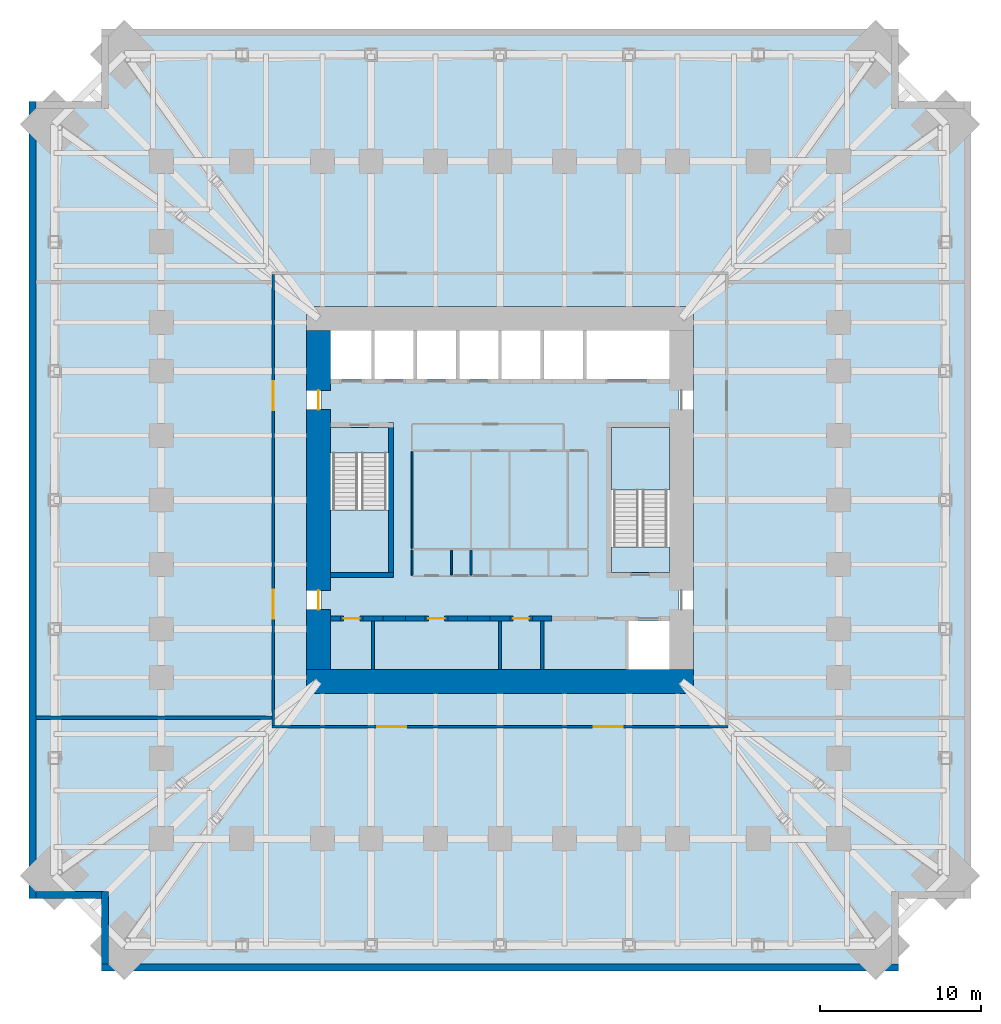
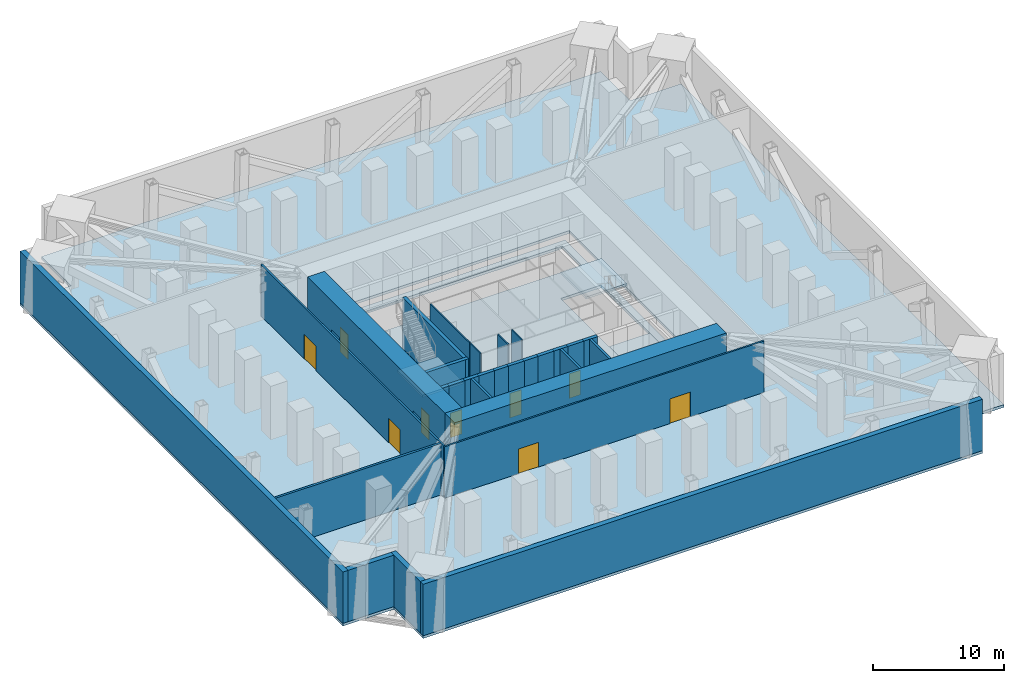
# One storey, part 5 of 9: 29 walls, 9 doors, 6 slabs, 9 openings, 2 elements without a shape of their own.
"""IFC4 building model written with IfcOpenShell, lengths in metres."""

from ifc_helpers import new_model, si_unit, direction, frame, frame_2d, origin, place, context, subcontext, project, spatial, polyline, rectangle, outline, extrude, material, layer, layer_set, type_object, element, fill, aggregate, save


model = new_model("IFC4")

# Units and contexts
model_context = context("Model", 3, precision=1e-05, world=origin(), true_north=direction((0.0, 1.0)))
body_context = subcontext(model_context, "Body", "Model", "MODEL_VIEW")
ifc_project = project(units=[si_unit("LENGTHUNIT", "METRE"), si_unit("AREAUNIT", "SQUARE_METRE"), si_unit("VOLUMEUNIT", "CUBIC_METRE"), si_unit("PLANEANGLEUNIT", "RADIAN"), si_unit("MASSUNIT", "GRAM", prefix="KILO")], contexts=[model_context])

# Site, building, storey
site_placement = place(None, origin())
site = spatial("IfcSite", under=ifc_project, at=site_placement, CompositionType="ELEMENT")
building_placement = place(site_placement, origin())
building = spatial("IfcBuilding", under=site, at=building_placement, Name="Peilmerk Tower", CompositionType="ELEMENT")
storey_placement = place(building_placement, frame((0.0, 0.0, 81.0)))
storey = spatial("IfcBuildingStorey", under=building, at=storey_placement, Name="L15", CompositionType="ELEMENT", Elevation=81.0)

# Slabs
ifc_material_1 = material(Name="Concrete C55/67", Category="concrete")
ifc_layer_1 = layer(ifc_material_1, 0.25)
ifc_layer_set_1 = layer_set([ifc_layer_1], Name="Concrete C55/67")
slab_type_1 = type_object("IfcSlabType", Name="CS250 250 core floor slab", PredefinedType="FLOOR", material=ifc_layer_set_1)
slab_1_placement = place(storey_placement, frame((0.0, 0.0, -0.25)))
element("IfcSlab", 1, at=slab_1_placement, inside=storey, type_object=slab_type_1, Name="Core slab L15", PredefinedType="FLOOR", context=body_context, shape_type="SweptSolid", body=[
    extrude(outline(polyline([(-11.10009765625, 11.10009765625), (-11.10009765625, -11.10009765625), (11.10009765625, -11.10009765625), (11.10009765625, 11.10009765625), (-11.10009765625, 11.10009765625)]), holes=[polyline([(10.5, 7.5), (-10.5, 7.5), (-10.5, 10.5), (10.5, 10.5), (10.5, 7.5)]), polyline([(7.875, -10.5), (7.875, -7.5), (10.5, -7.5), (10.5, -10.5), (7.875, -10.5)]), polyline([(-10.5, 4.5), (-6.89990234375, 4.5), (-6.89990234375, -4.5), (-10.5, -4.5), (-10.5, 4.5)]), polyline([(10.5, 4.5), (10.5, -4.5), (6.89990234375, -4.5), (6.89990234375, 4.5), (10.5, 4.5)])]), origin(), (0.0, 0.0, 1.0), 0.25),
])
ifc_material_2 = material(Name="Concrete C35/45", Category="concrete")
ifc_layer_2 = layer(ifc_material_2, 0.25)
ifc_layer_set_2 = layer_set([ifc_layer_2], Name="Concrete C35/45")
slab_type_2 = type_object("IfcSlabType", Name="FS250 250 composite floor slab", PredefinedType="FLOOR", material=ifc_layer_set_2)
slab_2_placement = place(storey_placement, frame((0.0, 0.0, -0.25)))
element("IfcSlab", 2, at=slab_2_placement, inside=storey, type_object=slab_type_2, Name="Floor slab L15", PredefinedType="FLOOR", context=body_context, shape_type="SweptSolid", body=[
    extrude(outline(polyline([(-24.699951171875, -29.199951171875), (24.699951171875, -29.199951171875), (24.699951171875, -24.699951171875), (29.199951171875, -24.699951171875), (29.199951171875, 24.699951171875), (24.699951171875, 24.699951171875), (24.699951171875, 29.199951171875), (-24.699951171875, 29.199951171875), (-24.699951171875, 24.699951171875), (-29.199951171875, 24.699951171875), (-29.199951171875, -24.699951171875), (-24.699951171875, -24.699951171875), (-24.699951171875, -29.199951171875)]), holes=[polyline([(12.0, 12.0), (12.0, -12.0), (-12.0, -12.0), (-12.0, 12.0), (12.0, 12.0)])]), origin(), (0.0, 0.0, 1.0), 0.25),
])

# Stair, slab
ifc_material_3 = material(Name="Precast concrete C45/55", Category="concrete")
stair_type_1 = type_object("IfcStairType", Name="ST1 28 risers of 178.6", PredefinedType="HALF_TURN_STAIR", material=ifc_material_3)
stair_1_placement = place(storey_placement, origin())
stair_1 = element("IfcStair", 3, at=stair_1_placement, inside=storey, type_object=stair_type_1, Name="Stair 1 L15 to L16", PredefinedType="HALF_TURN_STAIR")
ifc_layer_3 = layer(ifc_material_2, 0.199951171875)
ifc_layer_set_3 = layer_set([ifc_layer_3], Name="Concrete C35/45")
slab_type_3 = type_object("IfcSlabType", Name="SL1 200 concrete stair landing", PredefinedType="LANDING", material=ifc_layer_set_3)
slab_3_placement = place(storey_placement, frame((0.0, 0.0, 2.300048828125)))
slab_3 = element("IfcSlab", 4, at=slab_3_placement, type_object=slab_type_3, Name="ST1 landing 1", PredefinedType="LANDING", context=body_context, shape_type="SweptSolid", body=[
    extrude(outline(polyline([(-10.5, -4.5), (-6.89990234375, -4.5), (-6.89990234375, -0.610107421875), (-10.5, -0.610107421875), (-10.5, -4.5)])), origin(), (0.0, 0.0, 1.0), 0.199951171875),
])

stair_type_2 = type_object("IfcStairType", Name="ST2 28 risers of 178.6", PredefinedType="HALF_TURN_STAIR", material=ifc_material_3)
stair_2_placement = place(storey_placement, origin())
stair_2 = element("IfcStair", 5, at=stair_2_placement, inside=storey, type_object=stair_type_2, Name="Stair 2 L15 to L16", PredefinedType="HALF_TURN_STAIR")
slab_4_placement = place(storey_placement, frame((0.0, 0.0, 2.300048828125)))
slab_4 = element("IfcSlab", 6, at=slab_4_placement, type_object=slab_type_3, Name="ST2 landing 1", PredefinedType="LANDING", context=body_context, shape_type="SweptSolid", body=[
    extrude(outline(polyline([(6.89990234375, 0.610107421875), (10.5, 0.610107421875), (10.5, 4.5), (6.89990234375, 4.5), (6.89990234375, 0.610107421875)])), origin(), (0.0, 0.0, 1.0), 0.199951171875),
])

# Slab
ifc_layer_4 = layer(ifc_material_2, 0.25)
ifc_layer_set_4 = layer_set([ifc_layer_4], Name="Concrete C35/45")
slab_type_4 = type_object("IfcSlabType", Name="SL2 250 concrete floor landing", PredefinedType="LANDING", material=ifc_layer_set_4)
slab_5_placement = place(storey_placement, frame((0.0, 0.0, -0.25)))
slab_5 = element("IfcSlab", 7, at=slab_5_placement, type_object=slab_type_4, Name="ST1 floor landing", PredefinedType="LANDING", context=body_context, shape_type="SweptSolid", body=[
    extrude(outline(polyline([(-10.5, 2.89990234375), (-6.89990234375, 2.89990234375), (-6.89990234375, 4.5), (-10.5, 4.5), (-10.5, 2.89990234375)])), origin(), (0.0, 0.0, 1.0), 0.25),
])

aggregate(stair_1, [slab_3, slab_5])

slab_6_placement = place(storey_placement, frame((0.0, 0.0, -0.25)))
slab_6 = element("IfcSlab", 8, at=slab_6_placement, type_object=slab_type_4, Name="ST2 floor landing", PredefinedType="LANDING", context=body_context, shape_type="SweptSolid", body=[
    extrude(outline(polyline([(6.89990234375, -4.5), (10.5, -4.5), (10.5, -2.89990234375), (6.89990234375, -2.89990234375), (6.89990234375, -4.5)])), origin(), (0.0, 0.0, 1.0), 0.25),
])

aggregate(stair_2, [slab_4, slab_6])

# Walls
ifc_material_4 = material(Name="Precast concrete C45/55, board-marked finish", Category="concrete")
ifc_layer_5 = layer(ifc_material_4, 0.449951171875)
ifc_layer_set_5 = layer_set([ifc_layer_5], Name="Precast concrete C45/55, board-marked finish")
wall_type_1 = type_object("IfcWallType", Name="EW1 450 precast concrete facade wall, board-marked", PredefinedType="SOLIDWALL", material=ifc_layer_set_5)
for number, where, z_axis, x_axis, name in (
    (9, (-24.699951171875, -28.97509765625, 0.0), (0.0, 0.0, 1.0), (1.0, 0.0, 0.0), "Facade wall S L15"),
    (10, (-28.97509765625, 24.699951171875, 0.0), (0.0, 0.0, 1.0), (0.0, -1.0, 0.0), "Facade wall W L15"),
):
    element("IfcWall", number, at=place(storey_placement, frame(where, z_axis=z_axis, x_axis=x_axis)), inside=storey, type_object=wall_type_1, Name=name, PredefinedType="SOLIDWALL", context=body_context, shape_type="SweptSolid", body=[
        extrude(rectangle(XDim=49.39990234375, YDim=0.449951171875, at=frame_2d((24.699951171875, 0.0))), origin(), (0.0, 0.0, 1.0), 4.800048828125),
    ])
wall_1_placement = place(storey_placement, frame((-24.47509765625, -24.25, 0.0), z_axis=(0.0, 0.0, 1.0), x_axis=(0.0, -1.0, 0.0)))
element("IfcWall", 11, at=wall_1_placement, inside=storey, type_object=wall_type_1, Name="Facade wall SWA L15", PredefinedType="SOLIDWALL", context=body_context, shape_type="SweptSolid", body=[
    extrude(rectangle(XDim=4.5, YDim=0.449951171875, at=frame_2d((2.25, 0.0))), origin(), (0.0, 0.0, 1.0), 4.800048828125),
])
wall_2_placement = place(storey_placement, frame((-24.699951171875, -24.47509765625, 0.0), z_axis=(0.0, 0.0, 1.0), x_axis=(-1.0, 0.0, 0.0)))
element("IfcWall", 12, at=wall_2_placement, inside=storey, type_object=wall_type_1, Name="Facade wall SWB L15", PredefinedType="SOLIDWALL", context=body_context, shape_type="SweptSolid", body=[
    extrude(rectangle(XDim=4.050048828125, YDim=0.449951171875, at=frame_2d((2.02490234375, 0.0))), origin(), (0.0, 0.0, 1.0), 4.800048828125),
])

# Wall, openings, doors
ifc_material_5 = material(Name="Calcium silicate block", Category="masonry")
ifc_layer_6 = layer(ifc_material_5, 0.14990234375)
ifc_layer_set_6 = layer_set([ifc_layer_6], Name="Calcium silicate block")
wall_type_2 = type_object("IfcWallType", Name="IW1 150 corridor partition, EI 60", PredefinedType="PARTITIONING", material=ifc_layer_set_6)
wall_3_placement = place(storey_placement, frame((14.125, -14.050048828125, 0.0), z_axis=(0.0, 0.0, 1.0), x_axis=(-1.0, 0.0, 0.0)))
wall_3 = element("IfcWall", 13, at=wall_3_placement, inside=storey, type_object=wall_type_2, Name="Corridor wall S L15", PredefinedType="PARTITIONING", context=body_context, shape_type="SweptSolid", body=[
    extrude(rectangle(XDim=28.25, YDim=0.14990234375, at=frame_2d((14.125, 0.0))), origin(), (0.0, 0.0, 1.0), 4.800048828125),
])
opening_1_placement = place(wall_3_placement, frame((19.925048828125, 0.0, 0.0)))
opening_1 = element("IfcOpeningElement", 14, at=opening_1_placement, cuts=wall_3, Name="Opening D2", PredefinedType="OPENING", context=body_context, shape_type="SweptSolid", body=[
    extrude(rectangle(XDim=1.800048828125, YDim=2.300048828125, at=frame_2d((0.89990234375, 1.14990234375))), frame((0.0, 0.0849609375, 0.0), z_axis=(0.0, -1.0, 0.0), x_axis=(1.0, 0.0, 0.0)), (0.0, 0.0, 1.0), 0.169921875),
])
opening_2_placement = place(wall_3_placement, frame((6.52490234375, 0.0, 0.0)))
opening_2 = element("IfcOpeningElement", 15, at=opening_2_placement, cuts=wall_3, Name="Opening D2", PredefinedType="OPENING", context=body_context, shape_type="SweptSolid", body=[
    extrude(rectangle(XDim=1.800048828125, YDim=2.300048828125, at=frame_2d((0.89990234375, 1.14990234375))), frame((0.0, 0.0849609375, 0.0), z_axis=(0.0, -1.0, 0.0), x_axis=(1.0, 0.0, 0.0)), (0.0, 0.0, 1.0), 0.169921875),
])
ifc_material_6 = material(Name="Steel door in steel frame", Category="steel")
door_type_1 = type_object("IfcDoorType", Name="D2 1800x2300 double door, EI2 60", OperationType="DOUBLE_DOOR_DOUBLE_SWING", PredefinedType="DOOR", material=ifc_material_6)
door_1_placement = place(opening_1_placement, origin())
door_1 = element("IfcDoor", 16, at=door_1_placement, inside=storey, type_object=door_type_1, Name="Door Plant room L15", OperationType="DOUBLE_DOOR_DOUBLE_SWING", OverallHeight=2.300048828125, OverallWidth=1.800048828125, PredefinedType="DOOR", context=body_context, shape_type="SweptSolid", body=[
    extrude(rectangle(XDim=1.800048828125, YDim=2.300048828125, at=frame_2d((0.89990234375, 1.14990234375))), frame((0.0, 0.02490234375, 0.0), z_axis=(0.0, -1.0, 0.0), x_axis=(1.0, 0.0, 0.0)), (0.0, 0.0, 1.0), 0.050048828125),
])
fill(opening_1, door_1)
door_2_placement = place(opening_2_placement, origin())
door_2 = element("IfcDoor", 17, at=door_2_placement, inside=storey, type_object=door_type_1, Name="Door Plant room L15", OperationType="DOUBLE_DOOR_DOUBLE_SWING", OverallHeight=2.300048828125, OverallWidth=1.800048828125, PredefinedType="DOOR", context=body_context, shape_type="SweptSolid", body=[
    extrude(rectangle(XDim=1.800048828125, YDim=2.300048828125, at=frame_2d((0.89990234375, 1.14990234375))), frame((0.0, 0.02490234375, 0.0), z_axis=(0.0, -1.0, 0.0), x_axis=(1.0, 0.0, 0.0)), (0.0, 0.0, 1.0), 0.050048828125),
])
fill(opening_2, door_2)

wall_4_placement = place(storey_placement, frame((-14.050048828125, 13.97509765625, 0.0), z_axis=(0.0, 0.0, 1.0), x_axis=(0.0, -1.0, 0.0)))
wall_4 = element("IfcWall", 18, at=wall_4_placement, inside=storey, type_object=wall_type_2, Name="Corridor wall W L15", PredefinedType="PARTITIONING", context=body_context, shape_type="SweptSolid", body=[
    extrude(rectangle(XDim=27.9501953125, YDim=0.14990234375, at=frame_2d((13.97509765625, 0.0))), origin(), (0.0, 0.0, 1.0), 4.800048828125),
])
opening_3_placement = place(wall_4_placement, frame((19.52490234375, 0.0, 0.0)))
opening_3 = element("IfcOpeningElement", 19, at=opening_3_placement, cuts=wall_4, Name="Opening D2", PredefinedType="OPENING", context=body_context, shape_type="SweptSolid", body=[
    extrude(rectangle(XDim=1.800048828125, YDim=2.300048828125, at=frame_2d((0.89990234375, 1.14990234375))), frame((0.0, 0.0849609375, 0.0), z_axis=(0.0, -1.0, 0.0), x_axis=(1.0, 0.0, 0.0)), (0.0, 0.0, 1.0), 0.169921875),
])
opening_4_placement = place(wall_4_placement, frame((6.625, 0.0, 0.0)))
opening_4 = element("IfcOpeningElement", 20, at=opening_4_placement, cuts=wall_4, Name="Opening D2", PredefinedType="OPENING", context=body_context, shape_type="SweptSolid", body=[
    extrude(rectangle(XDim=1.800048828125, YDim=2.300048828125, at=frame_2d((0.89990234375, 1.14990234375))), frame((0.0, 0.0849609375, 0.0), z_axis=(0.0, -1.0, 0.0), x_axis=(1.0, 0.0, 0.0)), (0.0, 0.0, 1.0), 0.169921875),
])
door_3_placement = place(opening_3_placement, frame((1.800048828125, 0.0, 0.0), z_axis=(0.0, 0.0, 1.0), x_axis=(-1.0, 0.0, 0.0)))
door_3 = element("IfcDoor", 21, at=door_3_placement, inside=storey, type_object=door_type_1, Name="Door Refuge area L15", OperationType="DOUBLE_DOOR_DOUBLE_SWING", OverallHeight=2.300048828125, OverallWidth=1.800048828125, PredefinedType="DOOR", context=body_context, shape_type="SweptSolid", body=[
    extrude(rectangle(XDim=1.800048828125, YDim=2.300048828125, at=frame_2d((0.89990234375, 1.14990234375))), frame((0.0, 0.02490234375, 0.0), z_axis=(0.0, -1.0, 0.0), x_axis=(1.0, 0.0, 0.0)), (0.0, 0.0, 1.0), 0.050048828125),
])
fill(opening_3, door_3)
door_4_placement = place(opening_4_placement, frame((1.800048828125, 0.0, 0.0), z_axis=(0.0, 0.0, 1.0), x_axis=(-1.0, 0.0, 0.0)))
door_4 = element("IfcDoor", 22, at=door_4_placement, inside=storey, type_object=door_type_1, Name="Door Refuge area L15", OperationType="DOUBLE_DOOR_DOUBLE_SWING", OverallHeight=2.300048828125, OverallWidth=1.800048828125, PredefinedType="DOOR", context=body_context, shape_type="SweptSolid", body=[
    extrude(rectangle(XDim=1.800048828125, YDim=2.300048828125, at=frame_2d((0.89990234375, 1.14990234375))), frame((0.0, 0.02490234375, 0.0), z_axis=(0.0, -1.0, 0.0), x_axis=(1.0, 0.0, 0.0)), (0.0, 0.0, 1.0), 0.050048828125),
])
fill(opening_4, door_4)

# Walls
ifc_layer_7 = layer(ifc_material_5, 0.199951171875)
ifc_layer_set_7 = layer_set([ifc_layer_7], Name="Calcium silicate block")
wall_type_3 = type_object("IfcWallType", Name="IW2 200 room separating wall, EI 120", PredefinedType="PARTITIONING", material=ifc_layer_set_7)
wall_5_placement = place(storey_placement, frame((-14.125, -13.5, 0.0), z_axis=(0.0, 0.0, 1.0), x_axis=(-1.0, 0.0, 0.0)))
element("IfcWall", 23, at=wall_5_placement, inside=storey, type_object=wall_type_3, Name="Room separating wall SW L15", PredefinedType="PARTITIONING", context=body_context, shape_type="SweptSolid", body=[
    extrude(rectangle(XDim=14.625, YDim=0.199951171875, at=frame_2d((7.3125, 0.0))), origin(), (0.0, 0.0, 1.0), 4.800048828125),
])
ifc_layer_8 = layer(ifc_material_2, 0.300048828125)
ifc_layer_set_8 = layer_set([ifc_layer_8], Name="Concrete C35/45")
wall_type_4 = type_object("IfcWallType", Name="IW3 300 concrete stair enclosure wall, EI 120", PredefinedType="SOLIDWALL", material=ifc_layer_set_8)
wall_6_placement = place(storey_placement, frame((-6.75, -4.800048828125, 0.0), z_axis=(0.0, 0.0, 1.0), x_axis=(0.0, 1.0, 0.0)))
element("IfcWall", 24, at=wall_6_placement, inside=storey, type_object=wall_type_4, Name="Stair 1 enclosure L15", PredefinedType="SOLIDWALL", context=body_context, shape_type="SweptSolid", body=[
    extrude(rectangle(XDim=9.60009765625, YDim=0.300048828125, at=frame_2d((4.800048828125, 0.0))), origin(), (0.0, 0.0, 1.0), 4.75),
])
wall_7_placement = place(storey_placement, frame((-6.60009765625, -4.64990234375, 0.0), z_axis=(0.0, 0.0, 1.0), x_axis=(-1.0, 0.0, 0.0)))
element("IfcWall", 25, at=wall_7_placement, inside=storey, type_object=wall_type_4, Name="Stair 1 enclosure L15", PredefinedType="SOLIDWALL", context=body_context, shape_type="SweptSolid", body=[
    extrude(rectangle(XDim=3.89990234375, YDim=0.300048828125, at=frame_2d((1.949951171875, 0.0))), origin(), (0.0, 0.0, 1.0), 4.75),
])
ifc_material_7 = material(Name="Plasterboard on steel studs", Category="steel")
ifc_layer_9 = layer(ifc_material_7, 0.10009765625)
ifc_layer_set_9 = layer_set([ifc_layer_9], Name="Plasterboard on steel studs")
wall_type_5 = type_object("IfcWallType", Name="IW4 100 WC partition", PredefinedType="PARTITIONING", material=ifc_layer_set_9)
wall_8_placement = place(storey_placement, frame((-5.449951171875, -3.0, 0.0), z_axis=(0.0, 0.0, 1.0), x_axis=(0.0, 1.0, 0.0)))
element("IfcWall", 26, at=wall_8_placement, inside=storey, type_object=wall_type_5, Name="WC wall L15", PredefinedType="PARTITIONING", context=body_context, shape_type="SweptSolid", body=[
    extrude(rectangle(XDim=6.0, YDim=0.10009765625, at=frame_2d((3.0, 0.0))), origin(), (0.0, 0.0, 1.0), 4.75),
])
ifc_material_8 = material(Name="Calcium silicate board on steel studs", Category="steel")
ifc_layer_10 = layer(ifc_material_8, 0.10009765625)
ifc_layer_set_10 = layer_set([ifc_layer_10], Name="Calcium silicate board on steel studs")
wall_type_6 = type_object("IfcWallType", Name="IW5 100 riser enclosure wall, EI 60", PredefinedType="PARTITIONING", material=ifc_layer_set_10)
for number, where, z_axis, x_axis, name in (
    (27, (-5.449951171875, -3.10009765625, 0.0), (0.0, 0.0, 1.0), (0.0, -1.0, 0.0), "Riser wall L15"),
    (28, (-3.0, -3.10009765625, 0.0), (0.0, 0.0, 1.0), (0.0, -1.0, 0.0), "Riser wall L15"),
    (29, (-1.800048828125, -3.10009765625, 0.0), (0.0, 0.0, 1.0), (0.0, -1.0, 0.0), "Riser wall L15"),
):
    element("IfcWall", number, at=place(storey_placement, frame(where, z_axis=z_axis, x_axis=x_axis)), inside=storey, type_object=wall_type_6, Name=name, PredefinedType="PARTITIONING", context=body_context, shape_type="SweptSolid", body=[
        extrude(rectangle(XDim=1.5498046875, YDim=0.10009765625, at=frame_2d((0.77490234375, 0.0))), origin(), (0.0, 0.0, 1.0), 4.75),
    ])
ifc_layer_11 = layer(ifc_material_5, 0.199951171875)
ifc_layer_set_11 = layer_set([ifc_layer_11], Name="Calcium silicate block")
wall_type_7 = type_object("IfcWallType", Name="SH1 200 shaft dividing wall, EI 120", PredefinedType="PARTITIONING", material=ifc_layer_set_11)
for number, where, z_axis, x_axis, name in (
    (30, (-7.875, -10.5, 0.0), (0.0, 0.0, 1.0), (0.0, 1.0, 0.0), "Shaft wall S C4 L15"),
    (31, (0.0, -10.5, 0.0), (0.0, 0.0, 1.0), (0.0, 1.0, 0.0), "Shaft wall S C1 L15"),
    (32, (2.625, -10.5, 0.0), (0.0, 0.0, 1.0), (0.0, 1.0, 0.0), "Shaft wall S B3 L15"),
):
    element("IfcWall", number, at=place(storey_placement, frame(where, z_axis=z_axis, x_axis=x_axis)), inside=storey, type_object=wall_type_7, Name=name, PredefinedType="PARTITIONING", context=body_context, shape_type="SweptSolid", body=[
        extrude(rectangle(XDim=3.0, YDim=0.199951171875, at=frame_2d((1.5, 0.0))), origin(), (0.0, 0.0, 1.0), 5.0),
    ])

# Wall, opening, door
ifc_layer_12 = layer(ifc_material_5, 0.300048828125)
ifc_layer_set_12 = layer_set([ifc_layer_12], Name="Calcium silicate block")
wall_type_8 = type_object("IfcWallType", Name="SH2 300 lift landing door panel, EI 120", PredefinedType="PARTITIONING", material=ifc_layer_set_12)
wall_9_placement = place(storey_placement, frame((-9.887451171875, -7.35009765625, 0.0), z_axis=(0.0, 0.0, 1.0), x_axis=(1.0, 0.0, 0.0)))
wall_9 = element("IfcWall", 33, at=wall_9_placement, inside=storey, type_object=wall_type_8, Name="Lift door panel S C4 L15", PredefinedType="PARTITIONING", context=body_context, shape_type="SweptSolid", body=[
    extrude(rectangle(XDim=1.39990234375, YDim=0.300048828125, at=frame_2d((0.699951171875, 0.0))), origin(), (0.0, 0.0, 1.0), 5.0),
])
opening_5_placement = place(wall_9_placement, frame((0.199951171875, 0.0, 0.0)))
opening_5 = element("IfcOpeningElement", 34, at=opening_5_placement, cuts=wall_9, Name="Opening D10", PredefinedType="OPENING", context=body_context, shape_type="SweptSolid", body=[
    extrude(rectangle(XDim=1.0, YDim=2.300048828125, at=frame_2d((0.5, 1.14990234375))), frame((0.0, 0.159912109375, 0.0), z_axis=(0.0, -1.0, 0.0), x_axis=(1.0, 0.0, 0.0)), (0.0, 0.0, 1.0), 0.320068359375),
])
door_type_2 = type_object("IfcDoorType", Name="D10 1000x2300 core room door, EI2 60", OperationType="SINGLE_SWING_RIGHT", PredefinedType="DOOR", material=ifc_material_6)
door_5_placement = place(opening_5_placement, frame((1.0, 0.0, 0.0), z_axis=(0.0, 0.0, 1.0), x_axis=(-1.0, 0.0, 0.0)))
door_5 = element("IfcDoor", 35, at=door_5_placement, inside=storey, type_object=door_type_2, Name="Door Electrical plant room L15", OperationType="SINGLE_SWING_RIGHT", OverallHeight=2.300048828125, OverallWidth=1.0, PredefinedType="DOOR", context=body_context, shape_type="SweptSolid", body=[
    extrude(rectangle(XDim=1.0, YDim=2.300048828125, at=frame_2d((0.5, 1.14990234375))), frame((0.0, 0.02490234375, 0.0), z_axis=(0.0, -1.0, 0.0), x_axis=(1.0, 0.0, 0.0)), (0.0, 0.0, 1.0), 0.050048828125),
])
fill(opening_5, door_5)

# Wall
wall_10_placement = place(storey_placement, frame((-7.262451171875, -7.35009765625, 0.0), z_axis=(0.0, 0.0, 1.0), x_axis=(1.0, 0.0, 0.0)))
element("IfcWall", 36, at=wall_10_placement, inside=storey, type_object=wall_type_8, Name="Lift door panel S C3 L15", PredefinedType="PARTITIONING", context=body_context, shape_type="SweptSolid", body=[
    extrude(rectangle(XDim=1.39990234375, YDim=0.300048828125, at=frame_2d((0.699951171875, 0.0))), origin(), (0.0, 0.0, 1.0), 5.0),
])

# Wall, opening, door
wall_11_placement = place(storey_placement, frame((-4.637451171875, -7.35009765625, 0.0), z_axis=(0.0, 0.0, 1.0), x_axis=(1.0, 0.0, 0.0)))
wall_11 = element("IfcWall", 37, at=wall_11_placement, inside=storey, type_object=wall_type_8, Name="Lift door panel S C2 L15", PredefinedType="PARTITIONING", context=body_context, shape_type="SweptSolid", body=[
    extrude(rectangle(XDim=1.39990234375, YDim=0.300048828125, at=frame_2d((0.699951171875, 0.0))), origin(), (0.0, 0.0, 1.0), 5.0),
])
opening_6_placement = place(wall_11_placement, frame((0.199951171875, 0.0, 0.0)))
opening_6 = element("IfcOpeningElement", 38, at=opening_6_placement, cuts=wall_11, Name="Opening D10", PredefinedType="OPENING", context=body_context, shape_type="SweptSolid", body=[
    extrude(rectangle(XDim=1.0, YDim=2.300048828125, at=frame_2d((0.5, 1.14990234375))), frame((0.0, 0.159912109375, 0.0), z_axis=(0.0, -1.0, 0.0), x_axis=(1.0, 0.0, 0.0)), (0.0, 0.0, 1.0), 0.320068359375),
])
door_6_placement = place(opening_6_placement, frame((1.0, 0.0, 0.0), z_axis=(0.0, 0.0, 1.0), x_axis=(-1.0, 0.0, 0.0)))
door_6 = element("IfcDoor", 39, at=door_6_placement, inside=storey, type_object=door_type_2, Name="Door Chilled water plant room L15", OperationType="SINGLE_SWING_RIGHT", OverallHeight=2.300048828125, OverallWidth=1.0, PredefinedType="DOOR", context=body_context, shape_type="SweptSolid", body=[
    extrude(rectangle(XDim=1.0, YDim=2.300048828125, at=frame_2d((0.5, 1.14990234375))), frame((0.0, 0.02490234375, 0.0), z_axis=(0.0, -1.0, 0.0), x_axis=(1.0, 0.0, 0.0)), (0.0, 0.0, 1.0), 0.050048828125),
])
fill(opening_6, door_6)

# Wall
wall_12_placement = place(storey_placement, frame((-2.012451171875, -7.35009765625, 0.0), z_axis=(0.0, 0.0, 1.0), x_axis=(1.0, 0.0, 0.0)))
element("IfcWall", 40, at=wall_12_placement, inside=storey, type_object=wall_type_8, Name="Lift door panel S C1 L15", PredefinedType="PARTITIONING", context=body_context, shape_type="SweptSolid", body=[
    extrude(rectangle(XDim=1.39990234375, YDim=0.300048828125, at=frame_2d((0.699951171875, 0.0))), origin(), (0.0, 0.0, 1.0), 5.0),
])

# Wall, opening, door
wall_13_placement = place(storey_placement, frame((0.612548828125, -7.35009765625, 0.0), z_axis=(0.0, 0.0, 1.0), x_axis=(1.0, 0.0, 0.0)))
wall_13 = element("IfcWall", 41, at=wall_13_placement, inside=storey, type_object=wall_type_8, Name="Lift door panel S B3 L15", PredefinedType="PARTITIONING", context=body_context, shape_type="SweptSolid", body=[
    extrude(rectangle(XDim=1.39990234375, YDim=0.300048828125, at=frame_2d((0.699951171875, 0.0))), origin(), (0.0, 0.0, 1.0), 5.0),
])
opening_7_placement = place(wall_13_placement, frame((0.199951171875, 0.0, 0.0)))
opening_7 = element("IfcOpeningElement", 42, at=opening_7_placement, cuts=wall_13, Name="Opening D10", PredefinedType="OPENING", context=body_context, shape_type="SweptSolid", body=[
    extrude(rectangle(XDim=1.0, YDim=2.300048828125, at=frame_2d((0.5, 1.14990234375))), frame((0.0, 0.159912109375, 0.0), z_axis=(0.0, -1.0, 0.0), x_axis=(1.0, 0.0, 0.0)), (0.0, 0.0, 1.0), 0.320068359375),
])
door_7_placement = place(opening_7_placement, frame((1.0, 0.0, 0.0), z_axis=(0.0, 0.0, 1.0), x_axis=(-1.0, 0.0, 0.0)))
door_7 = element("IfcDoor", 43, at=door_7_placement, inside=storey, type_object=door_type_2, Name="Door Comms plant room L15", OperationType="SINGLE_SWING_RIGHT", OverallHeight=2.300048828125, OverallWidth=1.0, PredefinedType="DOOR", context=body_context, shape_type="SweptSolid", body=[
    extrude(rectangle(XDim=1.0, YDim=2.300048828125, at=frame_2d((0.5, 1.14990234375))), frame((0.0, 0.02490234375, 0.0), z_axis=(0.0, -1.0, 0.0), x_axis=(1.0, 0.0, 0.0)), (0.0, 0.0, 1.0), 0.050048828125),
])
fill(opening_7, door_7)

# Wall
ifc_layer_13 = layer(ifc_material_1, 1.5)
ifc_layer_set_13 = layer_set([ifc_layer_13], Name="Concrete C55/67")
wall_type_9 = type_object("IfcWallType", Name="SW1 1500 core wall", PredefinedType="SHEAR", material=ifc_layer_set_13)
wall_14_placement = place(storey_placement, frame((12.0, -11.25, 0.0), z_axis=(0.0, 0.0, 1.0), x_axis=(-1.0, 0.0, 0.0)))
element("IfcWall", 44, at=wall_14_placement, inside=storey, type_object=wall_type_9, Name="Core wall S L15", PredefinedType="SHEAR", context=body_context, shape_type="SweptSolid", body=[
    extrude(rectangle(XDim=24.0, YDim=1.5, at=frame_2d((12.0, 0.0))), origin(), (0.0, 0.0, 1.0), 5.0),
])

# Wall, openings, doors
wall_15_placement = place(storey_placement, frame((-11.25, -10.5, 0.0), z_axis=(0.0, 0.0, 1.0), x_axis=(0.0, 1.0, 0.0)))
wall_15 = element("IfcWall", 45, at=wall_15_placement, inside=storey, type_object=wall_type_9, Name="Core wall W L15", PredefinedType="SHEAR", context=body_context, shape_type="SweptSolid", body=[
    extrude(rectangle(XDim=21.0, YDim=1.5, at=frame_2d((10.5, 0.0))), origin(), (0.0, 0.0, 1.0), 5.0),
])
opening_8_placement = place(wall_15_placement, frame((16.10009765625, 0.0, 0.0)))
opening_8 = element("IfcOpeningElement", 46, at=opening_8_placement, cuts=wall_15, Name="Opening D3", PredefinedType="OPENING", context=body_context, shape_type="SweptSolid", body=[
    extrude(rectangle(XDim=1.199951171875, YDim=2.300048828125, at=frame_2d((0.60009765625, 1.14990234375))), frame((0.0, 0.760009765625, 0.0), z_axis=(0.0, -1.0, 0.0), x_axis=(1.0, 0.0, 0.0)), (0.0, 0.0, 1.0), 1.52001953125),
])
opening_9_placement = place(wall_15_placement, frame((3.699951171875, 0.0, 0.0)))
opening_9 = element("IfcOpeningElement", 47, at=opening_9_placement, cuts=wall_15, Name="Opening D3", PredefinedType="OPENING", context=body_context, shape_type="SweptSolid", body=[
    extrude(rectangle(XDim=1.199951171875, YDim=2.300048828125, at=frame_2d((0.60009765625, 1.14990234375))), frame((0.0, 0.760009765625, 0.0), z_axis=(0.0, -1.0, 0.0), x_axis=(1.0, 0.0, 0.0)), (0.0, 0.0, 1.0), 1.52001953125),
])
door_type_3 = type_object("IfcDoorType", Name="D3 1200x2300 core door, EI2 60", OperationType="SINGLE_SWING_LEFT", PredefinedType="DOOR", material=ifc_material_6)
door_8_placement = place(opening_8_placement, frame((1.199951171875, 0.0, 0.0), z_axis=(0.0, 0.0, 1.0), x_axis=(-1.0, 0.0, 0.0)))
door_8 = element("IfcDoor", 48, at=door_8_placement, inside=storey, type_object=door_type_3, Name="Core door L15", OperationType="SINGLE_SWING_LEFT", OverallHeight=2.300048828125, OverallWidth=1.199951171875, PredefinedType="DOOR", context=body_context, shape_type="SweptSolid", body=[
    extrude(rectangle(XDim=1.199951171875, YDim=2.300048828125, at=frame_2d((0.60009765625, 1.14990234375))), frame((0.0, 0.02490234375, 0.0), z_axis=(0.0, -1.0, 0.0), x_axis=(1.0, 0.0, 0.0)), (0.0, 0.0, 1.0), 0.050048828125),
])
fill(opening_8, door_8)
door_9_placement = place(opening_9_placement, frame((1.199951171875, 0.0, 0.0), z_axis=(0.0, 0.0, 1.0), x_axis=(-1.0, 0.0, 0.0)))
door_9 = element("IfcDoor", 49, at=door_9_placement, inside=storey, type_object=door_type_3, Name="Core door L15", OperationType="SINGLE_SWING_LEFT", OverallHeight=2.300048828125, OverallWidth=1.199951171875, PredefinedType="DOOR", context=body_context, shape_type="SweptSolid", body=[
    extrude(rectangle(XDim=1.199951171875, YDim=2.300048828125, at=frame_2d((0.60009765625, 1.14990234375))), frame((0.0, 0.02490234375, 0.0), z_axis=(0.0, -1.0, 0.0), x_axis=(1.0, 0.0, 0.0)), (0.0, 0.0, 1.0), 0.050048828125),
])
fill(opening_9, door_9)

# Walls
ifc_layer_14 = layer(ifc_material_1, 0.300048828125)
ifc_layer_set_14 = layer_set([ifc_layer_14], Name="Concrete C55/67")
wall_type_10 = type_object("IfcWallType", Name="SW2 300 lift bank pier", PredefinedType="SHEAR", material=ifc_layer_set_14)
wall_16_placement = place(storey_placement, frame((-10.5, -7.35009765625, 0.0), z_axis=(0.0, 0.0, 1.0), x_axis=(1.0, 0.0, 0.0)))
element("IfcWall", 50, at=wall_16_placement, inside=storey, type_object=wall_type_10, Name="Lift bank pier S L15", PredefinedType="SHEAR", context=body_context, shape_type="SweptSolid", body=[
    extrude(rectangle(XDim=0.612548828125, YDim=0.300048828125, at=frame_2d((0.30615234375, 0.0))), origin(), (0.0, 0.0, 1.0), 5.0),
])
for number, where, z_axis, x_axis, name in (
    (51, (-8.487548828125, -7.35009765625, 0.0), (0.0, 0.0, 1.0), (1.0, 0.0, 0.0), "Lift bank pier S L15"),
    (52, (-5.862548828125, -7.35009765625, 0.0), (0.0, 0.0, 1.0), (1.0, 0.0, 0.0), "Lift bank pier S L15"),
    (53, (-3.237548828125, -7.35009765625, 0.0), (0.0, 0.0, 1.0), (1.0, 0.0, 0.0), "Lift bank pier S L15"),
    (54, (-0.612548828125, -7.35009765625, 0.0), (0.0, 0.0, 1.0), (1.0, 0.0, 0.0), "Lift bank pier S L15"),
    (55, (2.012451171875, -7.35009765625, 0.0), (0.0, 0.0, 1.0), (1.0, 0.0, 0.0), "Lift bank pier S L15"),
):
    element("IfcWall", number, at=place(storey_placement, frame(where, z_axis=z_axis, x_axis=x_axis)), inside=storey, type_object=wall_type_10, Name=name, PredefinedType="SHEAR", context=body_context, shape_type="SweptSolid", body=[
        extrude(rectangle(XDim=1.22509765625, YDim=0.300048828125, at=frame_2d((0.612548828125, 0.0))), origin(), (0.0, 0.0, 1.0), 5.0),
    ])

save(model, "model.ifc")
